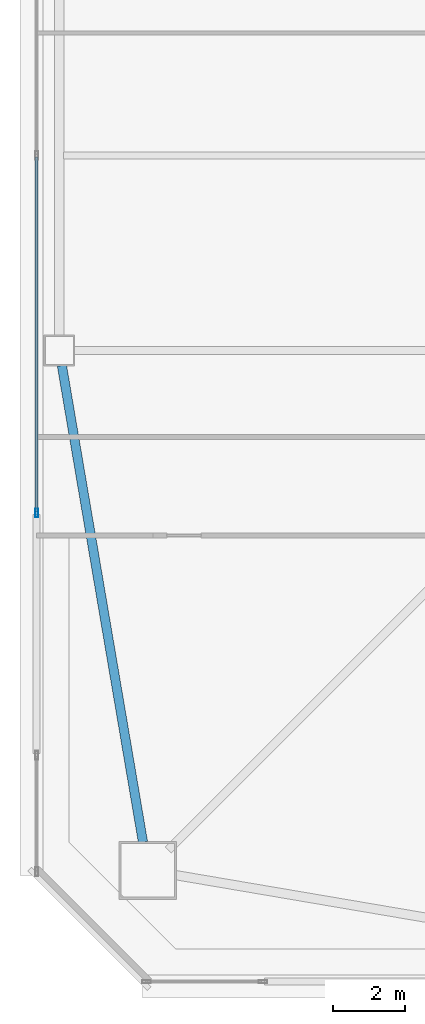
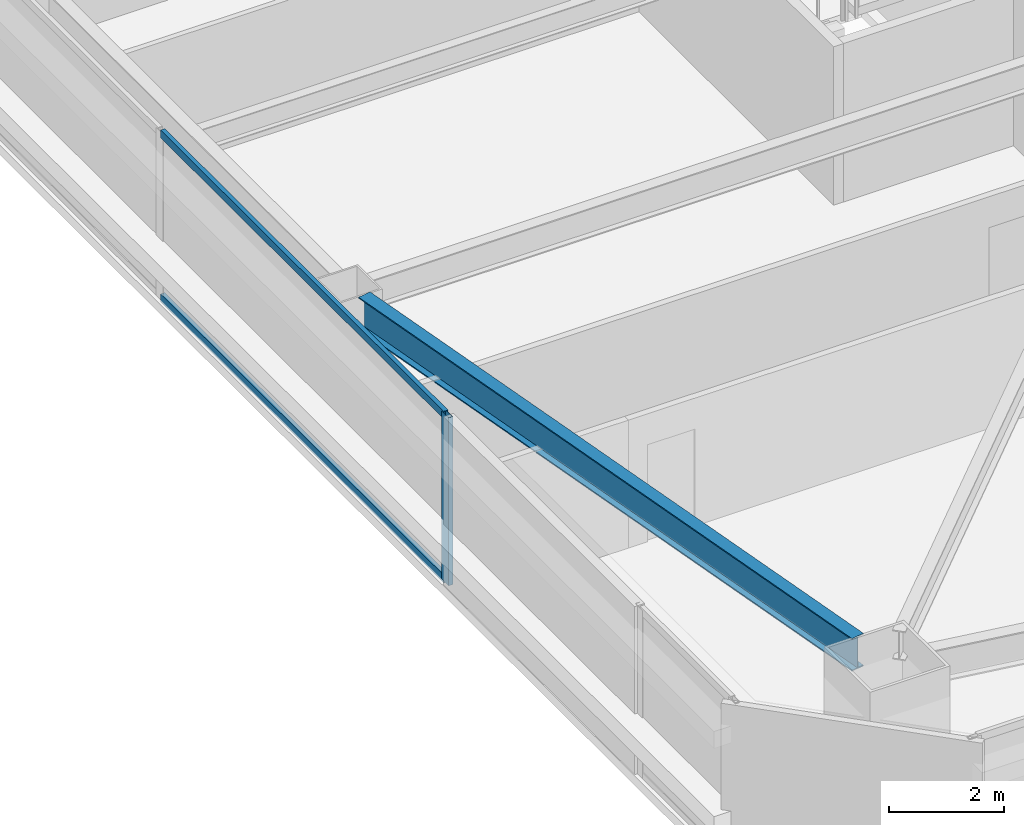
# One storey, part 6 of 51: 3 members, 1 beam, 1 element without a shape of its own.
"""IFC4 building model written with IfcOpenShell, lengths in metres."""

import ifcopenshell
import ifcopenshell.guid

model = None  # the IFC model being written
_history = None  # IfcOwnerHistory: only IFC2X3 demands one
_inside = {}  # id of a spatial element -> (the spatial element, [elements in it])
_under = {}  # id of a project, library or spatial element -> (it, [spatial elements below it])
_declared = {}  # id of a project -> (the project, [libraries it declares])
_typed = {}  # id of a type object -> (the type object, [elements of that type])
_made_of = {}  # id of a material, layer set ... -> (it, [elements and type objects made of it])


def new_model(schema):
    """Start an empty IFC model of exactly this schema.

    Asked for "IFC4X3", IfcOpenShell would pick the latest addendum, in which some entities
    have other attributes; the version numbers below select the first issue.
    IFC2X3 requires an IfcOwnerHistory on every rooted entity: one is made here for all.
    """
    global model, _history
    if schema == "IFC4X3":
        model = ifcopenshell.file(schema_version=(4, 3, 0, 0))
    else:
        model = ifcopenshell.file(schema=schema)
    _inside.clear()
    _under.clear()
    _declared.clear()
    _typed.clear()
    _made_of.clear()
    _history = None
    if model.schema == "IFC2X3":
        org = make("IfcOrganization", Name="unknown")
        user = make(
            "IfcPersonAndOrganization",
            ThePerson=make("IfcPerson", FamilyName="unknown"),
            TheOrganization=org,
        )
        app = make(
            "IfcApplication",
            ApplicationDeveloper=org,
            Version="unknown",
            ApplicationFullName="unknown",
            ApplicationIdentifier="unknown",
        )
        _history = make(
            "IfcOwnerHistory",
            OwningUser=user,
            OwningApplication=app,
            ChangeAction="ADDED",
            CreationDate=0,
        )
    return model


def make(cls, **values):
    """One entity of the class cls with the attributes given. An attribute that is None is left unset."""
    return model.create_entity(
        cls, **{name: value for name, value in values.items() if value is not None}
    )


def rooted(cls, **values):
    """An entity with a GlobalId (a new one), such as an element, a storey or a relation."""
    return make(cls, GlobalId=ifcopenshell.guid.new(), OwnerHistory=_history, **values)


def si_unit(unit_type, name, prefix=None):
    """IfcSIUnit, for example si_unit("LENGTHUNIT", "METRE", prefix="MILLI")."""
    return make("IfcSIUnit", UnitType=unit_type, Prefix=prefix, Name=name)


def assignment(units):
    """IfcUnitAssignment: the units of a project."""
    return None if units is None else make("IfcUnitAssignment", Units=units)


def point(xyz):
    """IfcCartesianPoint."""
    return None if xyz is None else make("IfcCartesianPoint", Coordinates=xyz)


def direction(xyz):
    """IfcDirection."""
    return None if xyz is None else make("IfcDirection", DirectionRatios=xyz)


def frame(location, z_axis=None, x_axis=None):
    """IfcAxis2Placement3D, a coordinate frame: its origin and axes. An axis left out is left unset."""
    return make(
        "IfcAxis2Placement3D",
        Location=point(location),
        Axis=direction(z_axis),
        RefDirection=direction(x_axis),
    )


def frame_2d(location, x_axis=None):
    """IfcAxis2Placement2D, a coordinate frame in the plane: its origin and x axis."""
    return make(
        "IfcAxis2Placement2D", Location=point(location), RefDirection=direction(x_axis)
    )


def origin():
    """The frame at (0, 0, 0) with its axes left unset."""
    return frame((0.0, 0.0, 0.0))


def origin_2d():
    """The frame at (0, 0) in the plane with its x axis left unset."""
    return frame_2d((0.0, 0.0))


def place(relative_to, where):
    """IfcLocalPlacement: puts the frame where relative to a parent placement (None: the world)."""
    return make(
        "IfcLocalPlacement", PlacementRelTo=relative_to, RelativePlacement=where
    )


def context(
    kind, dimensions, precision=None, world=None, true_north=None, identifier=None
):
    """IfcGeometricRepresentationContext, for example the 3D "Model" context."""
    return make(
        "IfcGeometricRepresentationContext",
        ContextIdentifier=identifier,
        ContextType=kind,
        CoordinateSpaceDimension=dimensions,
        Precision=precision,
        WorldCoordinateSystem=world,
        TrueNorth=true_north,
    )


def subcontext(parent, identifier, kind, view, scale=None):
    """IfcGeometricRepresentationSubContext, for example "Body" below "Model"."""
    return make(
        "IfcGeometricRepresentationSubContext",
        ContextIdentifier=identifier,
        ContextType=kind,
        ParentContext=parent,
        TargetScale=scale,
        TargetView=view,
    )


def project(units=None, contexts=None):
    """IfcProject with its units and contexts."""
    return rooted(
        "IfcProject",
        Name="project",
        RepresentationContexts=contexts,
        UnitsInContext=assignment(units),
    )


def spatial(cls, under=None, at=None, **own):
    """A site, building, storey or space (cls), placed at a placement, below another one or the project."""
    s = rooted(cls, ObjectPlacement=at, **own)
    if under is not None:
        _under.setdefault(under.id(), (under, []))[1].append(s)
    return s


def profile(cls, at=None, kind="AREA", **sizes):
    """A parametric profile (cls). Its sizes go by their IFC names, for example OverallWidth=200.0."""
    return make(cls, ProfileType=kind, Position=at, **sizes)


def hollow_rectangle(**sizes):
    """IfcRectangleHollowProfileDef."""
    return profile("IfcRectangleHollowProfileDef", **sizes)


def i_section(**sizes):
    """IfcIShapeProfileDef."""
    return profile("IfcIShapeProfileDef", **sizes)


def extrude(swept, where, along, depth):
    """IfcExtrudedAreaSolid: the profile swept, set in the frame where, extruded along a direction by depth."""
    return make(
        "IfcExtrudedAreaSolid",
        SweptArea=swept,
        Position=where,
        ExtrudedDirection=direction(along),
        Depth=depth,
    )


def shape(context_of_items, identifier, shape_type, items):
    """IfcShapeRepresentation: the items that make up one representation, for example the "Body"."""
    return make(
        "IfcShapeRepresentation",
        ContextOfItems=context_of_items,
        RepresentationIdentifier=identifier,
        RepresentationType=shape_type,
        Items=items,
    )


def material(Name=None, Category=None):
    """IfcMaterial."""
    return make("IfcMaterial", Name=Name, Category=Category)


def material_profile(
    of_material, cross_section, Name=None, Category=None, Priority=None
):
    """IfcMaterialProfile: a cross section and its material."""
    return make(
        "IfcMaterialProfile",
        Name=Name,
        Material=of_material,
        Profile=cross_section,
        Priority=Priority,
        Category=Category,
    )


def profile_set(profiles, Name=None, composite=None):
    """IfcMaterialProfileSet."""
    return make(
        "IfcMaterialProfileSet",
        Name=Name,
        MaterialProfiles=profiles,
        CompositeProfile=composite,
    )


def made_of(thing, what):
    """Note that an element or type object is made of a material, layer set ...; save() writes the relation."""
    if what is not None:
        _made_of.setdefault(what.id(), (what, []))[1].append(thing)
    return thing


def type_object(cls, material=None, **own):
    """A type object (cls), such as IfcWallType, which elements share."""
    return made_of(rooted(cls, **own), material)


def element(
    cls,
    number,
    at=None,
    inside=None,
    cuts=None,
    type_object=None,
    material=None,
    context=None,
    identifier="Body",
    shape_type=None,
    held_by="IfcProductDefinitionShape",
    body=None,
    shapes=None,
    **own,
):
    """One element of the class cls, such as IfcWall. Its Tag is "e" and its number.

    at: its placement. inside: the storey or other place that contains it. cuts: it is an
    opening in that element (IfcRelVoidsElement). A single representation is given by context,
    identifier, shape_type and body (its items); several are given by shapes. held_by: the class
    of the entity that holds the representations. save() writes the other relations.
    """
    e = rooted(cls, Tag="e%d" % number, ObjectPlacement=at, **own)
    if body is not None:
        shapes = [shape(context, identifier, shape_type, body)]
    if shapes is not None:
        e.Representation = make(held_by, Representations=shapes)
    if inside is not None:
        _inside.setdefault(inside.id(), (inside, []))[1].append(e)
    if cuts is not None:
        rooted(
            "IfcRelVoidsElement", RelatingBuildingElement=cuts, RelatedOpeningElement=e
        )
    if type_object is not None:
        _typed.setdefault(type_object.id(), (type_object, []))[1].append(e)
    return made_of(e, material)


def aggregate(whole, parts):
    """IfcRelAggregates: a whole, such as a stair, and the parts it consists of."""
    return rooted("IfcRelAggregates", RelatingObject=whole, RelatedObjects=parts)


def save(model, path):
    """Write the relations noted so far, then the file.

    IfcRelAggregates (storeys below a building ...), IfcRelContainedInSpatialStructure (elements
    in a storey), IfcRelDefinesByType, IfcRelAssociatesMaterial and IfcRelDeclares: one each for
    every whole, place, type object, material and project.
    """
    for whole, parts in _under.values():
        aggregate(whole, parts)
    for where, things in _inside.values():
        rooted(
            "IfcRelContainedInSpatialStructure",
            RelatedElements=things,
            RelatingStructure=where,
        )
    for kind, things in _typed.values():
        rooted("IfcRelDefinesByType", RelatedObjects=things, RelatingType=kind)
    for what, things in _made_of.values():
        rooted("IfcRelAssociatesMaterial", RelatedObjects=things, RelatingMaterial=what)
    for by, libraries in _declared.values():
        rooted("IfcRelDeclares", RelatingContext=by, RelatedDefinitions=libraries)
    model.write(path)


model = new_model("IFC4")

# Units and contexts
model_context = context("Model", 3, precision=1e-05, world=origin(), true_north=direction((0.0, 1.0)))
body_context = subcontext(model_context, "Body", "Model", "MODEL_VIEW")
ifc_project = project(units=[si_unit("LENGTHUNIT", "METRE"), si_unit("AREAUNIT", "SQUARE_METRE"), si_unit("VOLUMEUNIT", "CUBIC_METRE"), si_unit("PLANEANGLEUNIT", "RADIAN"), si_unit("MASSUNIT", "GRAM", prefix="KILO")], contexts=[model_context])

# Site, building, storey
site_placement = place(None, origin())
site = spatial("IfcSite", under=ifc_project, at=site_placement, CompositionType="ELEMENT")
building_placement = place(site_placement, origin())
building = spatial("IfcBuilding", under=site, at=building_placement, Name="Tashvorn Skyway Center", CompositionType="ELEMENT")
storey_placement = place(building_placement, frame((0.0, 0.0, 49.449951171875)))
storey = spatial("IfcBuildingStorey", under=building, at=storey_placement, Name="L12", CompositionType="ELEMENT", Elevation=49.449951171875)

# Beam
ifc_material_1 = material(Name="Steel ASTM A992 Grade 50", Category="steel")
ifc_material_profile_1 = material_profile(ifc_material_1, i_section(OverallWidth=0.256103515625, OverallDepth=0.693115234375, WebThickness=0.014404296875, FlangeThickness=0.023681640625, at=origin_2d()), Name="W27X114")
ifc_profile_set_1 = profile_set([ifc_material_profile_1], Name="Steel ASTM A992 Grade 50")
beam_type = type_object("IfcBeamType", Name="BM-SPANDREL-W27X114", PredefinedType="SPANDREL", material=ifc_profile_set_1)
beam_placement = place(storey_placement, frame((19.820556640625, 26.18603515625, 3.003662109375), z_axis=(0.16771792509, -0.985835025551, 0.0), x_axis=(0.985835025551, 0.16771792509, 0.0)))
element("IfcBeam", 1, at=beam_placement, inside=storey, type_object=beam_type, Name="Tower 1 L12 Spandrel Beam 12", PredefinedType="SPANDREL", context=body_context, shape_type="SweptSolid", body=[
    extrude(i_section(OverallWidth=0.256103515625, OverallDepth=0.693115234375, WebThickness=0.014404296875, FlangeThickness=0.023681640625, at=origin_2d()), origin(), (0.0, 0.0, 1.0), 13.39208984375),
])

# Curtain wall, members
ifc_material_2 = material(Name="Thermally broken bronze-anodized aluminium 6063-T6", Category="aluminium")
curtain_wall_type = type_object("IfcCurtainWallType", Name="CW-CW-Z1", PredefinedType="NOTDEFINED", material=ifc_material_2)
curtain_wall_placement = place(storey_placement, origin())
curtain_wall = element("IfcCurtainWall", 2, at=curtain_wall_placement, inside=storey, type_object=curtain_wall_type, Name="Tower 1 L12 West Unitised Curtain Wall Glazing Group 2", PredefinedType="NOTDEFINED")
ifc_material_profile_2 = material_profile(ifc_material_2, hollow_rectangle(XDim=0.0849609375, YDim=0.239990234375, WallThickness=0.0048828125, at=origin_2d()), Name="ALU-MULL-85x240")
ifc_profile_set_2 = profile_set([ifc_material_profile_2], Name="Thermally broken bronze-anodized aluminium 6063-T6")
member_type_1 = type_object("IfcMemberType", Name="CWM-CW-Z1", PredefinedType="MULLION", material=ifc_profile_set_2)
member_1_placement = place(storey_placement, frame((19.1201171875, 22.1025390625, 0.0), z_axis=(0.0, 0.0, 1.0), x_axis=(-1.0, 0.0, 0.0)))
member_1 = element("IfcMember", 3, at=member_1_placement, type_object=member_type_1, Name="CW-Z1 mullion 1", PredefinedType="MULLION", context=body_context, shape_type="SweptSolid", body=[
    extrude(hollow_rectangle(XDim=0.0849609375, YDim=0.239990234375, WallThickness=0.0048828125, at=origin_2d()), origin(), (0.0, 0.0, 1.0), 3.550048828125),
])
ifc_material_profile_3 = material_profile(ifc_material_2, hollow_rectangle(XDim=0.0849609375, YDim=0.1650390625, WallThickness=0.0048828125, at=origin_2d()), Name="ALU-TRAN-85x165")
ifc_profile_set_3 = profile_set([ifc_material_profile_3], Name="Thermally broken bronze-anodized aluminium 6063-T6")
member_type_2 = type_object("IfcMemberType", Name="CWT-CW-Z1", PredefinedType="USERDEFINED", material=ifc_profile_set_3)
member_2_placement = place(storey_placement, frame((19.1201171875, 22.14501953125, 0.04248046875), z_axis=(0.0, 1.0, 0.0), x_axis=(-1.0, 0.0, 0.0)))
member_2 = element("IfcMember", 4, at=member_2_placement, type_object=member_type_2, Name="CW-Z1 transom 1.1", ObjectType="TRANSOM", PredefinedType="USERDEFINED", context=body_context, shape_type="SweptSolid", body=[
    extrude(hollow_rectangle(XDim=0.0849609375, YDim=0.1650390625, WallThickness=0.0048828125, at=origin_2d()), origin(), (0.0, 0.0, 1.0), 9.8125),
])
member_3_placement = place(storey_placement, frame((19.1201171875, 22.14501953125, 3.507568359375), z_axis=(0.0, 1.0, 0.0), x_axis=(-1.0, 0.0, 0.0)))
member_3 = element("IfcMember", 5, at=member_3_placement, type_object=member_type_2, Name="CW-Z1 transom 1.2", ObjectType="TRANSOM", PredefinedType="USERDEFINED", context=body_context, shape_type="SweptSolid", body=[
    extrude(hollow_rectangle(XDim=0.0849609375, YDim=0.1650390625, WallThickness=0.0048828125, at=origin_2d()), origin(), (0.0, 0.0, 1.0), 9.8125),
])
aggregate(curtain_wall, [member_1, member_2, member_3])

save(model, "model.ifc")
